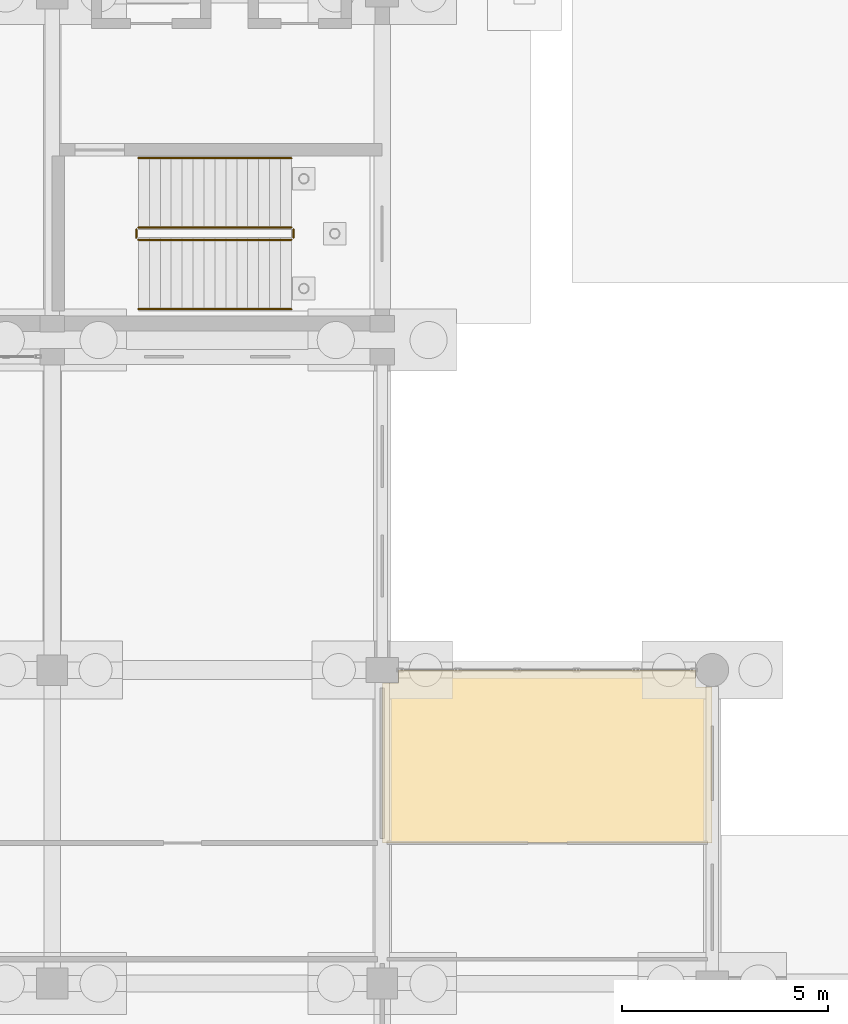
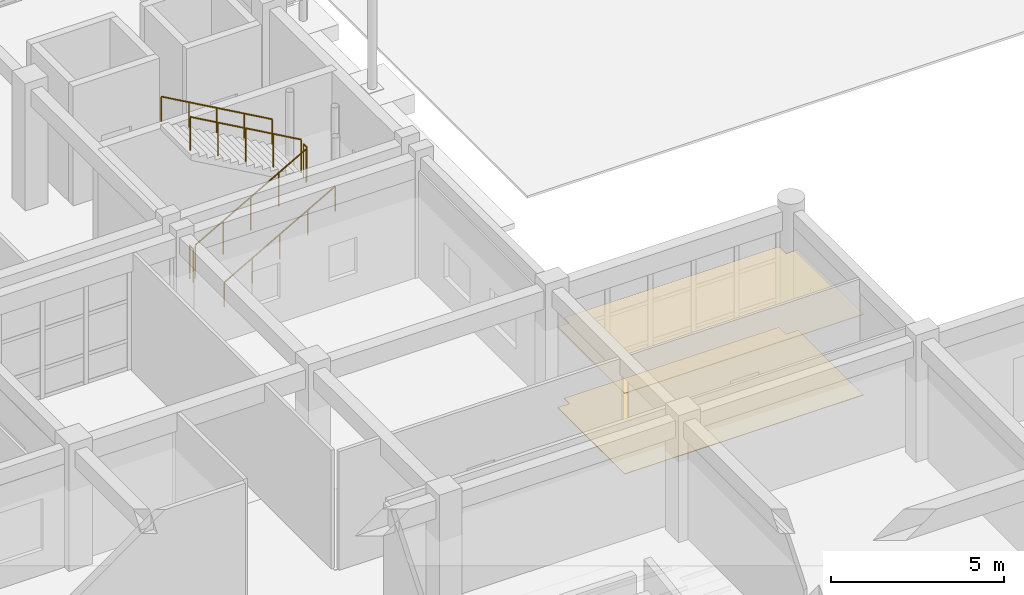
# One storey, part 154 of 166: 6 railings, 2 coverings.
"""IFC4 building model written with IfcOpenShell, lengths in metres."""

from ifc_helpers import new_model, si_unit, direction, frame, origin, origin_2d, place, context, subcontext, project, spatial, polyline, circle, outline, extrude, material, layer, layer_set, type_object, element, save


model = new_model("IFC4")

# Units and contexts
model_context = context("Model", 3, precision=1e-05, world=origin(), true_north=direction((0.0, 1.0)))
body_context = subcontext(model_context, "Body", "Model", "MODEL_VIEW")
ifc_project = project(units=[si_unit("LENGTHUNIT", "METRE"), si_unit("AREAUNIT", "SQUARE_METRE"), si_unit("VOLUMEUNIT", "CUBIC_METRE"), si_unit("PLANEANGLEUNIT", "RADIAN"), si_unit("MASSUNIT", "GRAM", prefix="KILO")], contexts=[model_context])

# Site, building, storey
site_placement = place(None, origin())
site = spatial("IfcSite", under=ifc_project, at=site_placement, CompositionType="ELEMENT")
building_placement = place(site_placement, origin())
building = spatial("IfcBuilding", under=site, at=building_placement, Name="Kharva Crest Polytechnic", CompositionType="ELEMENT")
storey_placement = place(building_placement, origin())
storey = spatial("IfcBuildingStorey", under=building, at=storey_placement, Name="L00", CompositionType="ELEMENT", Elevation=0.0)

# Coverings
ifc_material_1 = material(Name="Acoustic mineral board")
ifc_layer_1 = layer(ifc_material_1, 0.02490234375, Name="Acoustic mineral board")
ifc_layer_set_1 = layer_set([ifc_layer_1], Name="Acoustic mineral board")
covering_type_1 = type_object("IfcCoveringType", Name="COV-CLG-ACOUSTIC", PredefinedType="CEILING", material=ifc_layer_set_1)
covering_1_placement = place(storey_placement, frame((0.0, 0.0, 2.85009765625)))
element("IfcCovering", 1, at=covering_1_placement, inside=storey, type_object=covering_type_1, Name="L00 Lecture Concourse Accessible WC Acoustic Ceiling", PredefinedType="CEILING", context=body_context, shape_type="SweptSolid", body=[
    extrude(outline(polyline([(48.39990234375, 30.090087890625), (48.39990234375, 30.39990234375), (55.590087890625, 30.39990234375), (55.590087890625, 29.989990234375), (56.0, 29.989990234375), (56.0, 26.2099609375), (48.010009765625, 26.2099609375), (48.010009765625, 30.090087890625), (48.39990234375, 30.090087890625)])), origin(), (0.0, 0.0, 1.0), 0.02490234375),
])
ifc_material_2 = material(Name="Terrazzo tile")
ifc_layer_2 = layer(ifc_material_2, 0.02001953125, Name="Terrazzo tile")
ifc_layer_set_2 = layer_set([ifc_layer_2], Name="Terrazzo tile")
covering_type_2 = type_object("IfcCoveringType", Name="COV-FLR-TERRAZZO", PredefinedType="FLOORING", material=ifc_layer_set_2)
covering_2_placement = place(storey_placement, origin())
element("IfcCovering", 2, at=covering_2_placement, inside=storey, type_object=covering_type_2, Name="L00 Lecture Concourse Accessible WC Terrazzo Flooring", PredefinedType="FLOORING", context=body_context, shape_type="SweptSolid", body=[
    extrude(outline(polyline([(48.39990234375, 30.090087890625), (48.39990234375, 30.39990234375), (55.590087890625, 30.39990234375), (55.590087890625, 29.989990234375), (56.0, 29.989990234375), (56.0, 26.2099609375), (48.010009765625, 26.2099609375), (48.010009765625, 30.090087890625), (48.39990234375, 30.090087890625)])), origin(), (0.0, 0.0, 1.0), 0.02001953125),
])

# Railings
ifc_material_3 = material(Name="Anodised aluminium", Category="aluminium")
railing_type_1 = type_object("IfcRailingType", Name="RL-STAIR-GUARD-1200", PredefinedType="GUARDRAIL", material=ifc_material_3)
railing_1_placement = place(storey_placement, frame((42.090087890625, 40.830078125, 0.14990234375)))
element("IfcRailing", 3, at=railing_1_placement, inside=storey, type_object=railing_type_1, Name="L00 ST-02 stair guard 1", PredefinedType="GUARDRAIL", context=body_context, shape_type="SweptSolid", body=[
    extrude(circle(Radius=0.02392578125, at=origin_2d()), frame((0.0, 0.0, 1.17578125), z_axis=(0.870244811389, 0.0, 0.492619496418), x_axis=(0.0, 1.0, 0.0)), (0.0, 0.0, 1.0), 4.26318359375),
    extrude(circle(Radius=0.02099609375, at=origin_2d()), origin(), (0.0, 0.0, 1.0), 1.15185546875),
    extrude(circle(Radius=0.02099609375, at=origin_2d()), frame((0.927490234375, 0.0, 0.52490234375)), (0.0, 0.0, 1.0), 1.15185546875),
    extrude(circle(Radius=0.02099609375, at=origin_2d()), frame((1.85498046875, 0.0, 1.050048828125)), (0.0, 0.0, 1.0), 1.15185546875),
    extrude(circle(Radius=0.02099609375, at=origin_2d()), frame((2.782470703125, 0.0, 1.5751953125)), (0.0, 0.0, 1.0), 1.15185546875),
    extrude(circle(Radius=0.02099609375, at=origin_2d()), frame((3.7099609375, 0.0, 2.10009765625)), (0.0, 0.0, 1.0), 1.15185546875),
])
railing_2_placement = place(storey_placement, frame((45.85009765625, 40.8798828125, 2.25)))
element("IfcRailing", 4, at=railing_2_placement, inside=storey, type_object=railing_type_1, Name="L00 ST-02 stair guard 2", PredefinedType="GUARDRAIL", context=body_context, shape_type="SweptSolid", body=[
    extrude(circle(Radius=0.02392578125, at=origin_2d()), frame((0.0, 0.0, 1.17578125), z_axis=(0.0, 1.0, 0.0), x_axis=(-1.0, 0.0, 0.0)), (0.0, 0.0, 1.0), 0.2001953125),
    extrude(circle(Radius=0.02099609375, at=origin_2d()), origin(), (0.0, 0.0, 1.0), 1.15185546875),
    extrude(circle(Radius=0.02099609375, at=origin_2d()), frame((0.0, 0.2001953125, 0.0)), (0.0, 0.0, 1.0), 1.15185546875),
])
railing_3_placement = place(storey_placement, frame((45.800048828125, 41.1298828125, 2.39990234375)))
element("IfcRailing", 5, at=railing_3_placement, inside=storey, type_object=railing_type_1, Name="L00 ST-02 stair guard 3", PredefinedType="GUARDRAIL", context=body_context, shape_type="SweptSolid", body=[
    extrude(circle(Radius=0.02392578125, at=origin_2d()), frame((0.0, 0.0, 1.17578125), z_axis=(-0.870244811389, 0.0, 0.492619496418), x_axis=(0.0, -1.0, 0.0)), (0.0, 0.0, 1.0), 4.26318359375),
    extrude(circle(Radius=0.02099609375, at=origin_2d()), origin(), (0.0, 0.0, 1.0), 1.15185546875),
    extrude(circle(Radius=0.02099609375, at=origin_2d()), frame((-0.927490234375, 0.0, 0.52490234375)), (0.0, 0.0, 1.0), 1.15185546875),
    extrude(circle(Radius=0.02099609375, at=origin_2d()), frame((-1.85498046875, 0.0, 1.050048828125)), (0.0, 0.0, 1.0), 1.15185546875),
    extrude(circle(Radius=0.02099609375, at=origin_2d()), frame((-2.782470703125, 0.0, 1.5751953125)), (0.0, 0.0, 1.0), 1.15185546875),
    extrude(circle(Radius=0.02099609375, at=origin_2d()), frame((-3.7099609375, 0.0, 2.10009765625)), (0.0, 0.0, 1.0), 1.15185546875),
])
railing_4_placement = place(storey_placement, frame((42.0400390625, 40.8798828125, 0.0)))
element("IfcRailing", 6, at=railing_4_placement, inside=storey, type_object=railing_type_1, Name="L00 ST-02 stair guard 4", PredefinedType="GUARDRAIL", context=body_context, shape_type="SweptSolid", body=[
    extrude(circle(Radius=0.02392578125, at=origin_2d()), frame((0.0, 0.0, 1.17578125), z_axis=(0.0, 1.0, 0.0), x_axis=(-1.0, 0.0, 0.0)), (0.0, 0.0, 1.0), 0.2001953125),
    extrude(circle(Radius=0.02099609375, at=origin_2d()), origin(), (0.0, 0.0, 1.0), 1.15185546875),
    extrude(circle(Radius=0.02099609375, at=origin_2d()), frame((0.0, 0.2001953125, 0.0)), (0.0, 0.0, 1.0), 1.15185546875),
])
ifc_material_4 = material(Name="Teak timber", Category="wood")
railing_type_2 = type_object("IfcRailingType", Name="RL-STAIR-HAND-900", PredefinedType="HANDRAIL", material=ifc_material_4)
railing_5_placement = place(storey_placement, frame((42.090087890625, 39.14990234375, 0.14990234375)))
element("IfcRailing", 7, at=railing_5_placement, inside=storey, type_object=railing_type_2, Name="L00 ST-02 stair handrail 1", PredefinedType="HANDRAIL", context=body_context, shape_type="SweptSolid", body=[
    extrude(circle(Radius=0.02392578125, at=origin_2d()), frame((0.0, 0.0, 0.8759765625), z_axis=(0.870244811389, 0.0, 0.492619496418), x_axis=(0.0, 1.0, 0.0)), (0.0, 0.0, 1.0), 4.26318359375),
    extrude(circle(Radius=0.02099609375, at=origin_2d()), origin(), (0.0, 0.0, 1.0), 0.851806640625),
    extrude(circle(Radius=0.02099609375, at=origin_2d()), frame((0.927490234375, 0.0, 0.52490234375)), (0.0, 0.0, 1.0), 0.851806640625),
    extrude(circle(Radius=0.02099609375, at=origin_2d()), frame((1.85498046875, 0.0, 1.050048828125)), (0.0, 0.0, 1.0), 0.851806640625),
    extrude(circle(Radius=0.02099609375, at=origin_2d()), frame((2.782470703125, 0.0, 1.5751953125)), (0.0, 0.0, 1.0), 0.851806640625),
    extrude(circle(Radius=0.02099609375, at=origin_2d()), frame((3.7099609375, 0.0, 2.10009765625)), (0.0, 0.0, 1.0), 0.851806640625),
])
railing_6_placement = place(storey_placement, frame((45.800048828125, 42.81005859375, 2.39990234375)))
element("IfcRailing", 8, at=railing_6_placement, inside=storey, type_object=railing_type_2, Name="L00 ST-02 stair handrail 2", PredefinedType="HANDRAIL", context=body_context, shape_type="SweptSolid", body=[
    extrude(circle(Radius=0.02392578125, at=origin_2d()), frame((0.0, 0.0, 0.8759765625), z_axis=(-0.870244811389, 0.0, 0.492619496418), x_axis=(0.0, -1.0, 0.0)), (0.0, 0.0, 1.0), 4.26318359375),
    extrude(circle(Radius=0.02099609375, at=origin_2d()), origin(), (0.0, 0.0, 1.0), 0.851806640625),
    extrude(circle(Radius=0.02099609375, at=origin_2d()), frame((-0.927490234375, 0.0, 0.52490234375)), (0.0, 0.0, 1.0), 0.851806640625),
    extrude(circle(Radius=0.02099609375, at=origin_2d()), frame((-1.85498046875, 0.0, 1.050048828125)), (0.0, 0.0, 1.0), 0.851806640625),
    extrude(circle(Radius=0.02099609375, at=origin_2d()), frame((-2.782470703125, 0.0, 1.5751953125)), (0.0, 0.0, 1.0), 0.851806640625),
    extrude(circle(Radius=0.02099609375, at=origin_2d()), frame((-3.7099609375, 0.0, 2.10009765625)), (0.0, 0.0, 1.0), 0.851806640625),
])

save(model, "model.ifc")
